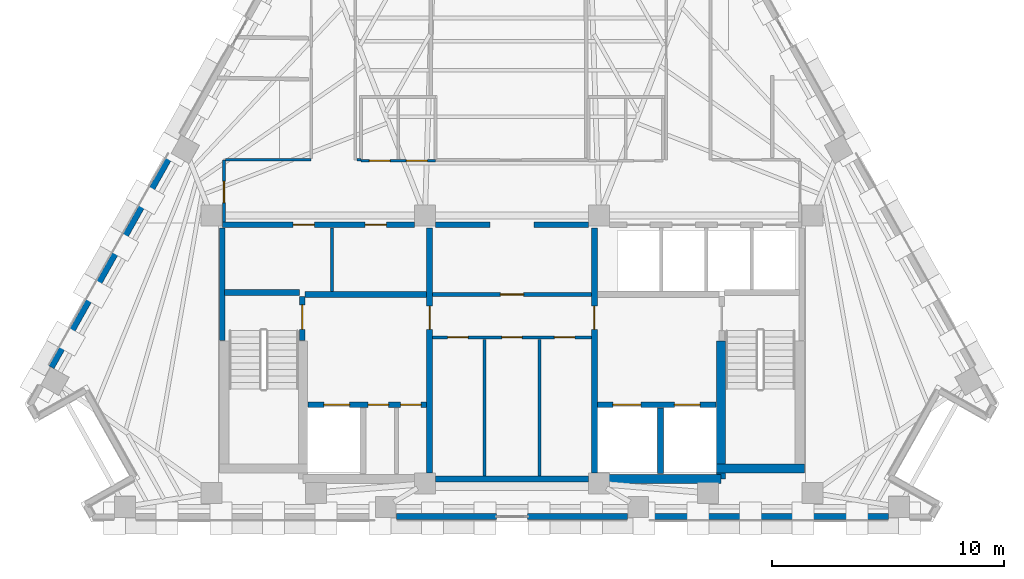
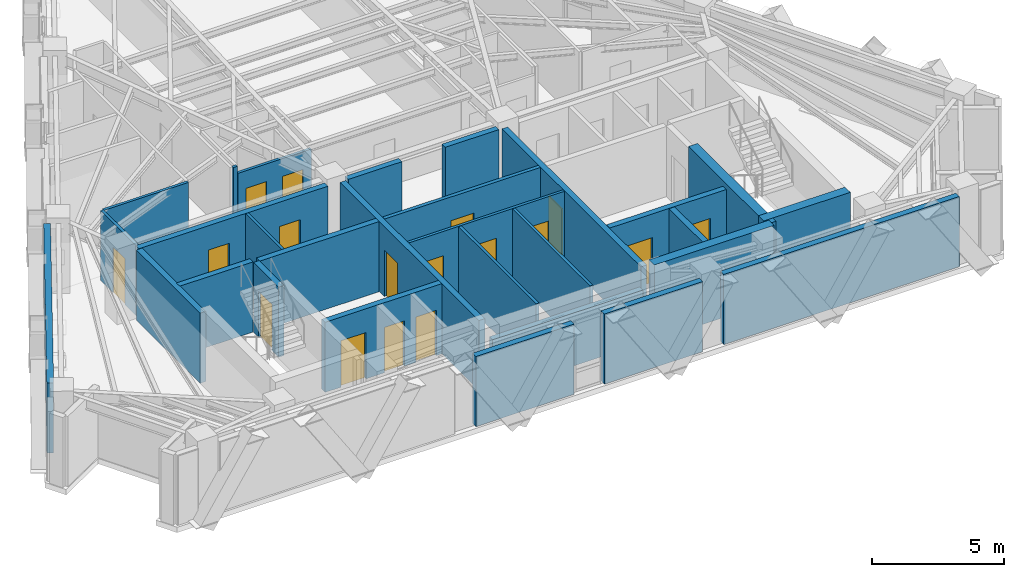
# One storey, part 7 of 12: 29 walls, 17 doors, 17 openings.
"""IFC4 building model written with IfcOpenShell, lengths in metres."""

import ifcopenshell
import ifcopenshell.guid

model = None  # the IFC model being written
_history = None  # IfcOwnerHistory: only IFC2X3 demands one
_inside = {}  # id of a spatial element -> (the spatial element, [elements in it])
_under = {}  # id of a project, library or spatial element -> (it, [spatial elements below it])
_declared = {}  # id of a project -> (the project, [libraries it declares])
_typed = {}  # id of a type object -> (the type object, [elements of that type])
_made_of = {}  # id of a material, layer set ... -> (it, [elements and type objects made of it])


def new_model(schema):
    """Start an empty IFC model of exactly this schema.

    Asked for "IFC4X3", IfcOpenShell would pick the latest addendum, in which some entities
    have other attributes; the version numbers below select the first issue.
    IFC2X3 requires an IfcOwnerHistory on every rooted entity: one is made here for all.
    """
    global model, _history
    if schema == "IFC4X3":
        model = ifcopenshell.file(schema_version=(4, 3, 0, 0))
    else:
        model = ifcopenshell.file(schema=schema)
    _inside.clear()
    _under.clear()
    _declared.clear()
    _typed.clear()
    _made_of.clear()
    _history = None
    if model.schema == "IFC2X3":
        org = make("IfcOrganization", Name="unknown")
        user = make(
            "IfcPersonAndOrganization",
            ThePerson=make("IfcPerson", FamilyName="unknown"),
            TheOrganization=org,
        )
        app = make(
            "IfcApplication",
            ApplicationDeveloper=org,
            Version="unknown",
            ApplicationFullName="unknown",
            ApplicationIdentifier="unknown",
        )
        _history = make(
            "IfcOwnerHistory",
            OwningUser=user,
            OwningApplication=app,
            ChangeAction="ADDED",
            CreationDate=0,
        )
    return model


def make(cls, **values):
    """One entity of the class cls with the attributes given. An attribute that is None is left unset."""
    return model.create_entity(
        cls, **{name: value for name, value in values.items() if value is not None}
    )


def rooted(cls, **values):
    """An entity with a GlobalId (a new one), such as an element, a storey or a relation."""
    return make(cls, GlobalId=ifcopenshell.guid.new(), OwnerHistory=_history, **values)


def si_unit(unit_type, name, prefix=None):
    """IfcSIUnit, for example si_unit("LENGTHUNIT", "METRE", prefix="MILLI")."""
    return make("IfcSIUnit", UnitType=unit_type, Prefix=prefix, Name=name)


def assignment(units):
    """IfcUnitAssignment: the units of a project."""
    return None if units is None else make("IfcUnitAssignment", Units=units)


def point(xyz):
    """IfcCartesianPoint."""
    return None if xyz is None else make("IfcCartesianPoint", Coordinates=xyz)


def direction(xyz):
    """IfcDirection."""
    return None if xyz is None else make("IfcDirection", DirectionRatios=xyz)


def frame(location, z_axis=None, x_axis=None):
    """IfcAxis2Placement3D, a coordinate frame: its origin and axes. An axis left out is left unset."""
    return make(
        "IfcAxis2Placement3D",
        Location=point(location),
        Axis=direction(z_axis),
        RefDirection=direction(x_axis),
    )


def frame_2d(location, x_axis=None):
    """IfcAxis2Placement2D, a coordinate frame in the plane: its origin and x axis."""
    return make(
        "IfcAxis2Placement2D", Location=point(location), RefDirection=direction(x_axis)
    )


def origin():
    """The frame at (0, 0, 0) with its axes left unset."""
    return frame((0.0, 0.0, 0.0))


def place(relative_to, where):
    """IfcLocalPlacement: puts the frame where relative to a parent placement (None: the world)."""
    return make(
        "IfcLocalPlacement", PlacementRelTo=relative_to, RelativePlacement=where
    )


def context(
    kind, dimensions, precision=None, world=None, true_north=None, identifier=None
):
    """IfcGeometricRepresentationContext, for example the 3D "Model" context."""
    return make(
        "IfcGeometricRepresentationContext",
        ContextIdentifier=identifier,
        ContextType=kind,
        CoordinateSpaceDimension=dimensions,
        Precision=precision,
        WorldCoordinateSystem=world,
        TrueNorth=true_north,
    )


def subcontext(parent, identifier, kind, view, scale=None):
    """IfcGeometricRepresentationSubContext, for example "Body" below "Model"."""
    return make(
        "IfcGeometricRepresentationSubContext",
        ContextIdentifier=identifier,
        ContextType=kind,
        ParentContext=parent,
        TargetScale=scale,
        TargetView=view,
    )


def project(units=None, contexts=None):
    """IfcProject with its units and contexts."""
    return rooted(
        "IfcProject",
        Name="project",
        RepresentationContexts=contexts,
        UnitsInContext=assignment(units),
    )


def spatial(cls, under=None, at=None, **own):
    """A site, building, storey or space (cls), placed at a placement, below another one or the project."""
    s = rooted(cls, ObjectPlacement=at, **own)
    if under is not None:
        _under.setdefault(under.id(), (under, []))[1].append(s)
    return s


def profile(cls, at=None, kind="AREA", **sizes):
    """A parametric profile (cls). Its sizes go by their IFC names, for example OverallWidth=200.0."""
    return make(cls, ProfileType=kind, Position=at, **sizes)


def rectangle(**sizes):
    """IfcRectangleProfileDef."""
    return profile("IfcRectangleProfileDef", **sizes)


def extrude(swept, where, along, depth):
    """IfcExtrudedAreaSolid: the profile swept, set in the frame where, extruded along a direction by depth."""
    return make(
        "IfcExtrudedAreaSolid",
        SweptArea=swept,
        Position=where,
        ExtrudedDirection=direction(along),
        Depth=depth,
    )


def shape(context_of_items, identifier, shape_type, items):
    """IfcShapeRepresentation: the items that make up one representation, for example the "Body"."""
    return make(
        "IfcShapeRepresentation",
        ContextOfItems=context_of_items,
        RepresentationIdentifier=identifier,
        RepresentationType=shape_type,
        Items=items,
    )


def material(Name=None, Category=None):
    """IfcMaterial."""
    return make("IfcMaterial", Name=Name, Category=Category)


def layer(
    of_material, thickness, ventilated=None, Name=None, Category=None, Priority=None
):
    """IfcMaterialLayer: one layer of a wall or slab, of a material (None: an air gap)."""
    return make(
        "IfcMaterialLayer",
        Material=of_material,
        LayerThickness=thickness,
        IsVentilated=ventilated,
        Name=Name,
        Category=Category,
        Priority=Priority,
    )


def layer_set(layers, Name=None):
    """IfcMaterialLayerSet."""
    return make("IfcMaterialLayerSet", MaterialLayers=layers, LayerSetName=Name)


def made_of(thing, what):
    """Note that an element or type object is made of a material, layer set ...; save() writes the relation."""
    if what is not None:
        _made_of.setdefault(what.id(), (what, []))[1].append(thing)
    return thing


def type_object(cls, material=None, **own):
    """A type object (cls), such as IfcWallType, which elements share."""
    return made_of(rooted(cls, **own), material)


def element(
    cls,
    number,
    at=None,
    inside=None,
    cuts=None,
    type_object=None,
    material=None,
    context=None,
    identifier="Body",
    shape_type=None,
    held_by="IfcProductDefinitionShape",
    body=None,
    shapes=None,
    **own,
):
    """One element of the class cls, such as IfcWall. Its Tag is "e" and its number.

    at: its placement. inside: the storey or other place that contains it. cuts: it is an
    opening in that element (IfcRelVoidsElement). A single representation is given by context,
    identifier, shape_type and body (its items); several are given by shapes. held_by: the class
    of the entity that holds the representations. save() writes the other relations.
    """
    e = rooted(cls, Tag="e%d" % number, ObjectPlacement=at, **own)
    if body is not None:
        shapes = [shape(context, identifier, shape_type, body)]
    if shapes is not None:
        e.Representation = make(held_by, Representations=shapes)
    if inside is not None:
        _inside.setdefault(inside.id(), (inside, []))[1].append(e)
    if cuts is not None:
        rooted(
            "IfcRelVoidsElement", RelatingBuildingElement=cuts, RelatedOpeningElement=e
        )
    if type_object is not None:
        _typed.setdefault(type_object.id(), (type_object, []))[1].append(e)
    return made_of(e, material)


def fill(opening, filler):
    """IfcRelFillsElement: the door or window that sits in an opening."""
    return rooted(
        "IfcRelFillsElement",
        RelatingOpeningElement=opening,
        RelatedBuildingElement=filler,
    )


def aggregate(whole, parts):
    """IfcRelAggregates: a whole, such as a stair, and the parts it consists of."""
    return rooted("IfcRelAggregates", RelatingObject=whole, RelatedObjects=parts)


def save(model, path):
    """Write the relations noted so far, then the file.

    IfcRelAggregates (storeys below a building ...), IfcRelContainedInSpatialStructure (elements
    in a storey), IfcRelDefinesByType, IfcRelAssociatesMaterial and IfcRelDeclares: one each for
    every whole, place, type object, material and project.
    """
    for whole, parts in _under.values():
        aggregate(whole, parts)
    for where, things in _inside.values():
        rooted(
            "IfcRelContainedInSpatialStructure",
            RelatedElements=things,
            RelatingStructure=where,
        )
    for kind, things in _typed.values():
        rooted("IfcRelDefinesByType", RelatedObjects=things, RelatingType=kind)
    for what, things in _made_of.values():
        rooted("IfcRelAssociatesMaterial", RelatedObjects=things, RelatingMaterial=what)
    for by, libraries in _declared.values():
        rooted("IfcRelDeclares", RelatingContext=by, RelatedDefinitions=libraries)
    model.write(path)


model = new_model("IFC4")

# Units and contexts
model_context = context("Model", 3, precision=1e-05, world=origin(), true_north=direction((0.0, 1.0)))
body_context = subcontext(model_context, "Body", "Model", "MODEL_VIEW")
ifc_project = project(units=[si_unit("LENGTHUNIT", "METRE"), si_unit("AREAUNIT", "SQUARE_METRE"), si_unit("VOLUMEUNIT", "CUBIC_METRE"), si_unit("PLANEANGLEUNIT", "RADIAN"), si_unit("MASSUNIT", "GRAM", prefix="KILO")], contexts=[model_context])

# Site, building, storey
site_placement = place(None, origin())
site = spatial("IfcSite", under=ifc_project, at=site_placement, CompositionType="ELEMENT")
building_placement = place(site_placement, origin())
building = spatial("IfcBuilding", under=site, at=building_placement, Name="Quenlor Broadcast Tower", CompositionType="ELEMENT")
storey_placement = place(building_placement, frame((0.0, 0.0, 200.89990234375)))
storey = spatial("IfcBuildingStorey", under=building, at=storey_placement, Name="L55", CompositionType="ELEMENT", Elevation=200.89990234375)

# Walls
ifc_material_1 = material(Name="Concrete C50/60", Category="concrete")
ifc_layer_1 = layer(ifc_material_1, 0.39990234375)
ifc_layer_set_1 = layer_set([ifc_layer_1], Name="Core Concrete C50/60 Shear Wall 400")
wall_type_1 = type_object("IfcWallType", Name="Core Concrete C50/60 Shear Wall 400", PredefinedType="SHEAR", material=ifc_layer_set_1)
wall_1_placement = place(storey_placement, frame((3.75, -16.14990234375, 0.0), z_axis=(0.0, 0.0, 1.0), x_axis=(1.0, 0.0, 0.0)))
element("IfcWall", 1, at=wall_1_placement, inside=storey, type_object=wall_type_1, Name="L55 Core Shear Wall WS-E1", PredefinedType="SHEAR", context=body_context, shape_type="SweptSolid", body=[
    extrude(rectangle(XDim=5.25, YDim=0.39990234375, at=frame_2d((2.625, 0.0))), origin(), (0.0, 0.0, 1.0), 3.5),
])
wall_2_placement = place(storey_placement, frame((8.800048828125, -15.699951171875, 0.0), z_axis=(0.0, 0.0, 1.0), x_axis=(1.0, 0.0, 0.0)))
element("IfcWall", 2, at=wall_2_placement, inside=storey, type_object=wall_type_1, Name="L55 Core Shear Wall WS-E2", PredefinedType="SHEAR", context=body_context, shape_type="SweptSolid", body=[
    extrude(rectangle(XDim=3.800048828125, YDim=0.39990234375, at=frame_2d((1.89990234375, 0.0))), origin(), (0.0, 0.0, 1.0), 3.5),
])
wall_3_placement = place(storey_placement, frame((9.0, -16.14990234375, 0.0), z_axis=(0.0, 0.0, 1.0), x_axis=(0.0, 1.0, 0.0)))
element("IfcWall", 3, at=wall_3_placement, inside=storey, type_object=wall_type_1, Name="L55 Core Shear Wall WI-E", PredefinedType="SHEAR", context=body_context, shape_type="SweptSolid", body=[
    extrude(rectangle(XDim=5.949951171875, YDim=0.39990234375, at=frame_2d((2.97509765625, 0.0))), origin(), (0.0, 0.0, 1.0), 3.5),
])

# Wall, opening, door
ifc_material_2 = material(Name="Concrete C40/50", Category="concrete")
ifc_layer_2 = layer(ifc_material_2, 0.25)
ifc_layer_set_2 = layer_set([ifc_layer_2], Name="Fire Rated Concrete C40/50 Core Wall 250")
wall_type_2 = type_object("IfcWallType", Name="Fire Rated Concrete C40/50 Core Wall 250", PredefinedType="PARTITIONING", material=ifc_layer_set_2)
wall_4_placement = place(storey_placement, frame((-9.0400390625, -10.179931640625, 0.0), z_axis=(0.0, 0.0, 1.0), x_axis=(0.0, 1.0, 0.0)))
wall_4 = element("IfcWall", 4, at=wall_4_placement, inside=storey, type_object=wall_type_2, Name="L55 Interior Wall CW-ST1-DR", PredefinedType="PARTITIONING", context=body_context, shape_type="SweptSolid", body=[
    extrude(rectangle(XDim=1.89990234375, YDim=0.25, at=frame_2d((0.949951171875, 0.0))), origin(), (0.0, 0.0, 1.0), 3.25),
])
opening_1_placement = place(wall_4_placement, frame((0.47998046875, 0.0, 0.0)))
opening_1 = element("IfcOpeningElement", 5, at=opening_1_placement, cuts=wall_4, Name="Opening FD-1", PredefinedType="OPENING", context=body_context, shape_type="SweptSolid", body=[
    extrude(rectangle(XDim=1.050048828125, YDim=2.14990234375, at=frame_2d((0.52490234375, 1.074951171875))), frame((0.0, 0.135009765625, 0.0), z_axis=(0.0, -1.0, 0.0), x_axis=(1.0, 0.0, 0.0)), (0.0, 0.0, 1.0), 0.27001953125),
])
ifc_material_3 = material(Name="Fire Rated Steel Door Leaf", Category="steel")
door_type_1 = type_object("IfcDoorType", Name="Fire Isolated Stair Door 1050x2150", OperationType="NOTDEFINED", PredefinedType="DOOR", material=ifc_material_3)
door_1_placement = place(opening_1_placement, origin())
door_1 = element("IfcDoor", 6, at=door_1_placement, inside=storey, type_object=door_type_1, Name="L55 Door DR-ST1", OperationType="SINGLE_SWING_LEFT", OverallHeight=2.14990234375, OverallWidth=1.050048828125, PredefinedType="DOOR", context=body_context, shape_type="SweptSolid", body=[
    extrude(rectangle(XDim=1.050048828125, YDim=2.14990234375, at=frame_2d((0.52490234375, 1.074951171875))), frame((0.0, 0.02490234375, 0.0), z_axis=(0.0, -1.0, 0.0), x_axis=(1.0, 0.0, 0.0)), (0.0, 0.0, 1.0), 0.050048828125),
])
fill(opening_1, door_1)

# Walls
wall_5_placement = place(storey_placement, frame((-12.3798828125, -8.1201171875, 0.0), z_axis=(0.0, 0.0, 1.0), x_axis=(1.0, 0.0, 0.0)))
element("IfcWall", 7, at=wall_5_placement, inside=storey, type_object=wall_type_2, Name="L55 Interior Wall CW-ST1-N", PredefinedType="PARTITIONING", context=body_context, shape_type="SweptSolid", body=[
    extrude(rectangle(XDim=3.219970703125, YDim=0.25, at=frame_2d((1.60986328125, 0.0))), origin(), (0.0, 0.0, 1.0), 3.25),
])
wall_6_placement = place(storey_placement, frame((-12.47998046875, -10.179931640625, 0.0), z_axis=(0.0, 0.0, 1.0), x_axis=(0.0, 1.0, 0.0)))
element("IfcWall", 8, at=wall_6_placement, inside=storey, type_object=wall_type_2, Name="L55 Interior Wall CW-ST1-W2", PredefinedType="PARTITIONING", context=body_context, shape_type="SweptSolid", body=[
    extrude(rectangle(XDim=4.83984375, YDim=0.25, at=frame_2d((2.419921875, 0.0))), origin(), (0.0, 0.0, 1.0), 3.25),
])

# Wall, openings, doors
wall_7_placement = place(storey_placement, frame((-8.798095703125, -12.949951171875, 0.0), z_axis=(0.0, 0.0, 1.0), x_axis=(1.0, 0.0, 0.0)))
wall_7 = element("IfcWall", 9, at=wall_7_placement, inside=storey, type_object=wall_type_2, Name="L55 Interior Wall CW-FFW-S", PredefinedType="PARTITIONING", context=body_context, shape_type="SweptSolid", body=[
    extrude(rectangle(XDim=5.1181640625, YDim=0.25, at=frame_2d((2.55908203125, 0.0))), origin(), (0.0, 0.0, 1.0), 3.25),
])
opening_2_placement = place(wall_7_placement, frame((0.697998046875, 0.0, 0.0)))
opening_2 = element("IfcOpeningElement", 10, at=opening_2_placement, cuts=wall_7, Name="Opening LD-FFL-1", PredefinedType="OPENING", context=body_context, shape_type="SweptSolid", body=[
    extrude(rectangle(XDim=1.10009765625, YDim=2.14990234375, at=frame_2d((0.550048828125, 1.074951171875))), frame((0.0, 0.135009765625, 0.0), z_axis=(0.0, -1.0, 0.0), x_axis=(1.0, 0.0, 0.0)), (0.0, 0.0, 1.0), 0.27001953125),
])
opening_3_placement = place(wall_7_placement, frame((2.597900390625, 0.0, 0.0)))
opening_3 = element("IfcOpeningElement", 11, at=opening_3_placement, cuts=wall_7, Name="Opening TD-1", PredefinedType="OPENING", context=body_context, shape_type="SweptSolid", body=[
    extrude(rectangle(XDim=0.8798828125, YDim=2.10009765625, at=frame_2d((0.43994140625, 1.050048828125))), frame((0.0, 0.135009765625, 0.0), z_axis=(0.0, -1.0, 0.0), x_axis=(1.0, 0.0, 0.0)), (0.0, 0.0, 1.0), 0.27001953125),
])
opening_4_placement = place(wall_7_placement, frame((3.998046875, 0.0, 0.0)))
opening_4 = element("IfcOpeningElement", 12, at=opening_4_placement, cuts=wall_7, Name="Opening TD-1", PredefinedType="OPENING", context=body_context, shape_type="SweptSolid", body=[
    extrude(rectangle(XDim=0.8798828125, YDim=2.10009765625, at=frame_2d((0.43994140625, 1.050048828125))), frame((0.0, 0.135009765625, 0.0), z_axis=(0.0, -1.0, 0.0), x_axis=(1.0, 0.0, 0.0)), (0.0, 0.0, 1.0), 0.27001953125),
])
ifc_material_4 = material(Name="Brushed Stainless Steel", Category="steel")
door_type_2 = type_object("IfcDoorType", Name="Emergency Lift Sliding Landing Door 1100x2150", OperationType="NOTDEFINED", PredefinedType="DOOR", material=ifc_material_4)
door_2_placement = place(opening_2_placement, origin())
door_2 = element("IfcDoor", 13, at=door_2_placement, inside=storey, type_object=door_type_2, Name="L55 Door LD-FFL-1", OperationType="SLIDING_TO_LEFT", OverallHeight=2.14990234375, OverallWidth=1.10009765625, PredefinedType="DOOR", context=body_context, shape_type="SweptSolid", body=[
    extrude(rectangle(XDim=1.10009765625, YDim=2.14990234375, at=frame_2d((0.550048828125, 1.074951171875))), frame((0.0, 0.02490234375, 0.0), z_axis=(0.0, -1.0, 0.0), x_axis=(1.0, 0.0, 0.0)), (0.0, 0.0, 1.0), 0.050048828125),
])
fill(opening_2, door_2)
ifc_material_5 = material(Name="Fire Rated Steel Access Panel", Category="steel")
door_type_3 = type_object("IfcDoorType", Name="Riser Shaft Rated Access Trapdoor 880x2100", OperationType="NOTDEFINED", PredefinedType="TRAPDOOR", material=ifc_material_5)
door_3_placement = place(opening_3_placement, origin())
door_3 = element("IfcDoor", 14, at=door_3_placement, inside=storey, type_object=door_type_3, Name="L55 Door DR-ELR", OperationType="SINGLE_SWING_LEFT", OverallHeight=2.10009765625, OverallWidth=0.8798828125, PredefinedType="TRAPDOOR", context=body_context, shape_type="SweptSolid", body=[
    extrude(rectangle(XDim=0.8798828125, YDim=2.10009765625, at=frame_2d((0.43994140625, 1.050048828125))), frame((0.0, 0.02490234375, 0.0), z_axis=(0.0, -1.0, 0.0), x_axis=(1.0, 0.0, 0.0)), (0.0, 0.0, 1.0), 0.050048828125),
])
fill(opening_3, door_3)
door_4_placement = place(opening_4_placement, origin())
door_4 = element("IfcDoor", 15, at=door_4_placement, inside=storey, type_object=door_type_3, Name="L55 Door DR-CMR", OperationType="SINGLE_SWING_RIGHT", OverallHeight=2.10009765625, OverallWidth=0.8798828125, PredefinedType="TRAPDOOR", context=body_context, shape_type="SweptSolid", body=[
    extrude(rectangle(XDim=0.8798828125, YDim=2.10009765625, at=frame_2d((0.43994140625, 1.050048828125))), frame((0.0, 0.02490234375, 0.0), z_axis=(0.0, -1.0, 0.0), x_axis=(1.0, 0.0, 0.0)), (0.0, 0.0, 1.0), 0.050048828125),
])
fill(opening_4, door_4)

wall_8_placement = place(storey_placement, frame((3.679931640625, -12.949951171875, 0.0), z_axis=(0.0, 0.0, 1.0), x_axis=(1.0, 0.0, 0.0)))
wall_8 = element("IfcWall", 16, at=wall_8_placement, inside=storey, type_object=wall_type_2, Name="L55 Interior Wall CW-FFE-S", PredefinedType="PARTITIONING", context=body_context, shape_type="SweptSolid", body=[
    extrude(rectangle(XDim=5.1181640625, YDim=0.25, at=frame_2d((2.55908203125, 0.0))), origin(), (0.0, 0.0, 1.0), 3.25),
])
opening_5_placement = place(wall_8_placement, frame((3.320068359375, 0.0, 0.0)))
opening_5 = element("IfcOpeningElement", 17, at=opening_5_placement, cuts=wall_8, Name="Opening LD-FFL-2", PredefinedType="OPENING", context=body_context, shape_type="SweptSolid", body=[
    extrude(rectangle(XDim=1.10009765625, YDim=2.14990234375, at=frame_2d((0.550048828125, 1.074951171875))), frame((0.0, 0.135009765625, 0.0), z_axis=(0.0, -1.0, 0.0), x_axis=(1.0, 0.0, 0.0)), (0.0, 0.0, 1.0), 0.27001953125),
])
opening_6_placement = place(wall_8_placement, frame((0.669921875, 0.0, 0.0)))
opening_6 = element("IfcOpeningElement", 18, at=opening_6_placement, cuts=wall_8, Name="Opening LD-SVL-1", PredefinedType="OPENING", context=body_context, shape_type="SweptSolid", body=[
    extrude(rectangle(XDim=1.199951171875, YDim=2.14990234375, at=frame_2d((0.60009765625, 1.074951171875))), frame((0.0, 0.135009765625, 0.0), z_axis=(0.0, -1.0, 0.0), x_axis=(1.0, 0.0, 0.0)), (0.0, 0.0, 1.0), 0.27001953125),
])
door_5_placement = place(opening_5_placement, origin())
door_5 = element("IfcDoor", 19, at=door_5_placement, inside=storey, type_object=door_type_2, Name="L55 Door LD-FFL-2", OperationType="SLIDING_TO_RIGHT", OverallHeight=2.14990234375, OverallWidth=1.10009765625, PredefinedType="DOOR", context=body_context, shape_type="SweptSolid", body=[
    extrude(rectangle(XDim=1.10009765625, YDim=2.14990234375, at=frame_2d((0.550048828125, 1.074951171875))), frame((0.0, 0.02490234375, 0.0), z_axis=(0.0, -1.0, 0.0), x_axis=(1.0, 0.0, 0.0)), (0.0, 0.0, 1.0), 0.050048828125),
])
fill(opening_5, door_5)
ifc_material_6 = material(Name="Brushed Stainless Steel", Category="steel")
door_type_4 = type_object("IfcDoorType", Name="Goods Lift Sliding Landing Door 1200x2150", OperationType="NOTDEFINED", PredefinedType="DOOR", material=ifc_material_6)
door_6_placement = place(opening_6_placement, origin())
door_6 = element("IfcDoor", 20, at=door_6_placement, inside=storey, type_object=door_type_4, Name="L55 Door LD-SVL-1", OperationType="SLIDING_TO_LEFT", OverallHeight=2.14990234375, OverallWidth=1.199951171875, PredefinedType="DOOR", context=body_context, shape_type="SweptSolid", body=[
    extrude(rectangle(XDim=1.199951171875, YDim=2.14990234375, at=frame_2d((0.60009765625, 1.074951171875))), frame((0.0, 0.02490234375, 0.0), z_axis=(0.0, -1.0, 0.0), x_axis=(1.0, 0.0, 0.0)), (0.0, 0.0, 1.0), 0.050048828125),
])
fill(opening_6, door_6)

# Walls
wall_9_placement = place(storey_placement, frame((6.39990234375, -15.919921875, 0.0), z_axis=(0.0, 0.0, 1.0), x_axis=(0.0, 1.0, 0.0)))
element("IfcWall", 21, at=wall_9_placement, inside=storey, type_object=wall_type_2, Name="L55 Interior Wall CW-SV1-E", PredefinedType="PARTITIONING", context=body_context, shape_type="SweptSolid", body=[
    extrude(rectangle(XDim=2.829833984375, YDim=0.25, at=frame_2d((1.4150390625, 0.0))), origin(), (0.0, 0.0, 1.0), 3.25),
])
wall_10_placement = place(storey_placement, frame((-8.919921875, -8.199951171875, 0.0), z_axis=(0.0, 0.0, 1.0), x_axis=(1.0, 0.0, 0.0)))
element("IfcWall", 22, at=wall_10_placement, inside=storey, type_object=wall_type_2, Name="L55 Interior Wall CW-FFW-N", PredefinedType="PARTITIONING", context=body_context, shape_type="SweptSolid", body=[
    extrude(rectangle(XDim=5.239990234375, YDim=0.25, at=frame_2d((2.6201171875, 0.0))), origin(), (0.0, 0.0, 1.0), 3.25),
])

# Wall, opening, door
wall_11_placement = place(storey_placement, frame((-3.550048828125, -15.89794921875, 0.0), z_axis=(0.0, 0.0, 1.0), x_axis=(0.0, 1.0, 0.0)))
wall_11 = element("IfcWall", 23, at=wall_11_placement, inside=storey, type_object=wall_type_2, Name="L55 Interior Wall CW-FFW-E", PredefinedType="PARTITIONING", context=body_context, shape_type="SweptSolid", body=[
    extrude(rectangle(XDim=10.557861328125, YDim=0.25, at=frame_2d((5.27880859375, 0.0))), origin(), (0.0, 0.0, 1.0), 3.25),
])
opening_7_placement = place(wall_11_placement, frame((6.197998046875, 0.0, 0.0)))
opening_7 = element("IfcOpeningElement", 24, at=opening_7_placement, cuts=wall_11, Name="Opening FD-2", PredefinedType="OPENING", context=body_context, shape_type="SweptSolid", body=[
    extrude(rectangle(XDim=1.0, YDim=2.14990234375, at=frame_2d((0.5, 1.074951171875))), frame((0.0, 0.135009765625, 0.0), z_axis=(0.0, -1.0, 0.0), x_axis=(1.0, 0.0, 0.0)), (0.0, 0.0, 1.0), 0.27001953125),
])
ifc_material_7 = material(Name="Fire Rated Glazed Steel Door", Category="steel")
door_type_5 = type_object("IfcDoorType", Name="Firefighting Lobby Smoke Door 1000x2150", OperationType="NOTDEFINED", PredefinedType="DOOR", material=ifc_material_7)
door_7_placement = place(opening_7_placement, origin())
door_7 = element("IfcDoor", 25, at=door_7_placement, inside=storey, type_object=door_type_5, Name="L55 Door DR-FFLW", OperationType="SINGLE_SWING_RIGHT", OverallHeight=2.14990234375, OverallWidth=1.0, PredefinedType="DOOR", context=body_context, shape_type="SweptSolid", body=[
    extrude(rectangle(XDim=1.0, YDim=2.14990234375, at=frame_2d((0.5, 1.074951171875))), frame((0.0, 0.02490234375, 0.0), z_axis=(0.0, -1.0, 0.0), x_axis=(1.0, 0.0, 0.0)), (0.0, 0.0, 1.0), 0.050048828125),
])
fill(opening_7, door_7)

wall_12_placement = place(storey_placement, frame((3.550048828125, -15.89794921875, 0.0), z_axis=(0.0, 0.0, 1.0), x_axis=(0.0, 1.0, 0.0)))
wall_12 = element("IfcWall", 26, at=wall_12_placement, inside=storey, type_object=wall_type_2, Name="L55 Interior Wall CW-FFE-W", PredefinedType="PARTITIONING", context=body_context, shape_type="SweptSolid", body=[
    extrude(rectangle(XDim=10.557861328125, YDim=0.25, at=frame_2d((5.27880859375, 0.0))), origin(), (0.0, 0.0, 1.0), 3.25),
])
opening_8_placement = place(wall_12_placement, frame((6.197998046875, 0.0, 0.0)))
opening_8 = element("IfcOpeningElement", 27, at=opening_8_placement, cuts=wall_12, Name="Opening FD-2", PredefinedType="OPENING", context=body_context, shape_type="SweptSolid", body=[
    extrude(rectangle(XDim=1.0, YDim=2.14990234375, at=frame_2d((0.5, 1.074951171875))), frame((0.0, 0.135009765625, 0.0), z_axis=(0.0, -1.0, 0.0), x_axis=(1.0, 0.0, 0.0)), (0.0, 0.0, 1.0), 0.27001953125),
])
door_8_placement = place(opening_8_placement, origin())
door_8 = element("IfcDoor", 28, at=door_8_placement, inside=storey, type_object=door_type_5, Name="L55 Door DR-FFLE", OperationType="SINGLE_SWING_LEFT", OverallHeight=2.14990234375, OverallWidth=1.0, PredefinedType="DOOR", context=body_context, shape_type="SweptSolid", body=[
    extrude(rectangle(XDim=1.0, YDim=2.14990234375, at=frame_2d((0.5, 1.074951171875))), frame((0.0, 0.02490234375, 0.0), z_axis=(0.0, -1.0, 0.0), x_axis=(1.0, 0.0, 0.0)), (0.0, 0.0, 1.0), 0.050048828125),
])
fill(opening_8, door_8)

# Wall, openings, doors
wall_13_placement = place(storey_placement, frame((-12.47998046875, -5.199951171875, 0.0), z_axis=(0.0, 0.0, 1.0), x_axis=(1.0, 0.0, 0.0)))
wall_13 = element("IfcWall", 29, at=wall_13_placement, inside=storey, type_object=wall_type_2, Name="L55 Interior Wall CW-N-W", PredefinedType="PARTITIONING", context=body_context, shape_type="SweptSolid", body=[
    extrude(rectangle(XDim=8.278076171875, YDim=0.25, at=frame_2d((4.13916015625, 0.0))), origin(), (0.0, 0.0, 1.0), 3.25),
])
opening_9_placement = place(wall_13_placement, frame((3.050048828125, 0.0, 0.0)))
opening_9 = element("IfcOpeningElement", 30, at=opening_9_placement, cuts=wall_13, Name="Opening ID-1", PredefinedType="OPENING", context=body_context, shape_type="SweptSolid", body=[
    extrude(rectangle(XDim=0.919921875, YDim=2.1201171875, at=frame_2d((0.4599609375, 1.06005859375))), frame((0.0, 0.135009765625, 0.0), z_axis=(0.0, -1.0, 0.0), x_axis=(1.0, 0.0, 0.0)), (0.0, 0.0, 1.0), 0.27001953125),
])
opening_10_placement = place(wall_13_placement, frame((6.14990234375, 0.0, 0.0)))
opening_10 = element("IfcOpeningElement", 31, at=opening_10_placement, cuts=wall_13, Name="Opening ID-1", PredefinedType="OPENING", context=body_context, shape_type="SweptSolid", body=[
    extrude(rectangle(XDim=0.919921875, YDim=2.1201171875, at=frame_2d((0.4599609375, 1.06005859375))), frame((0.0, 0.135009765625, 0.0), z_axis=(0.0, -1.0, 0.0), x_axis=(1.0, 0.0, 0.0)), (0.0, 0.0, 1.0), 0.27001953125),
])
ifc_material_8 = material(Name="Solid Core Timber Oak", Category="wood")
door_type_6 = type_object("IfcDoorType", Name="Single Leaf Timber Office Door 920x2120", OperationType="NOTDEFINED", PredefinedType="DOOR", material=ifc_material_8)
door_9_placement = place(opening_9_placement, origin())
door_9 = element("IfcDoor", 32, at=door_9_placement, inside=storey, type_object=door_type_6, Name="L55 Door DR-RCL1", OperationType="SINGLE_SWING_LEFT", OverallHeight=2.1201171875, OverallWidth=0.919921875, PredefinedType="DOOR", context=body_context, shape_type="SweptSolid", body=[
    extrude(rectangle(XDim=0.919921875, YDim=2.1201171875, at=frame_2d((0.4599609375, 1.06005859375))), frame((0.0, 0.02490234375, 0.0), z_axis=(0.0, -1.0, 0.0), x_axis=(1.0, 0.0, 0.0)), (0.0, 0.0, 1.0), 0.050048828125),
])
fill(opening_9, door_9)
door_10_placement = place(opening_10_placement, origin())
door_10 = element("IfcDoor", 33, at=door_10_placement, inside=storey, type_object=door_type_6, Name="L55 Door DR-RCL2", OperationType="SINGLE_SWING_RIGHT", OverallHeight=2.1201171875, OverallWidth=0.919921875, PredefinedType="DOOR", context=body_context, shape_type="SweptSolid", body=[
    extrude(rectangle(XDim=0.919921875, YDim=2.1201171875, at=frame_2d((0.4599609375, 1.06005859375))), frame((0.0, 0.02490234375, 0.0), z_axis=(0.0, -1.0, 0.0), x_axis=(1.0, 0.0, 0.0)), (0.0, 0.0, 1.0), 0.050048828125),
])
fill(opening_10, door_10)

# Walls
for number, where, z_axis, x_axis, name in (
    (34, (-3.298095703125, -5.199951171875, 0.0), (0.0, 0.0, 1.0), (1.0, 0.0, 0.0), "L55 Interior Wall CW-N-M1"),
    (35, (0.949951171875, -5.199951171875, 0.0), (0.0, 0.0, 1.0), (1.0, 0.0, 0.0), "L55 Interior Wall CW-N-M2"),
):
    element("IfcWall", number, at=place(storey_placement, frame(where, z_axis=z_axis, x_axis=x_axis)), inside=storey, type_object=wall_type_2, Name=name, PredefinedType="PARTITIONING", context=body_context, shape_type="SweptSolid", body=[
        extrude(rectangle(XDim=2.34814453125, YDim=0.25, at=frame_2d((1.174072265625, 0.0))), origin(), (0.0, 0.0, 1.0), 3.25),
    ])
wall_14_placement = place(storey_placement, frame((-3.298095703125, -16.14990234375, 0.0), z_axis=(0.0, 0.0, 1.0), x_axis=(1.0, 0.0, 0.0)))
element("IfcWall", 36, at=wall_14_placement, inside=storey, type_object=wall_type_2, Name="L55 Interior Wall CW-MS-S", PredefinedType="PARTITIONING", context=body_context, shape_type="SweptSolid", body=[
    extrude(rectangle(XDim=6.59619140625, YDim=0.25, at=frame_2d((3.298095703125, 0.0))), origin(), (0.0, 0.0, 1.0), 2.4501953125),
])

# Wall, opening, door
ifc_material_9 = material(Name="Gypsum Fireboard Partition", Category="other")
ifc_layer_3 = layer(ifc_material_9, 0.159912109375)
ifc_layer_set_3 = layer_set([ifc_layer_3], Name="Fire Rated Shaft and Corridor Partition 160")
wall_type_3 = type_object("IfcWallType", Name="Fire Rated Shaft and Corridor Partition 160", PredefinedType="PARTITIONING", material=ifc_layer_set_3)
wall_15_placement = place(storey_placement, frame((-3.419921875, -8.199951171875, 0.0), z_axis=(0.0, 0.0, 1.0), x_axis=(1.0, 0.0, 0.0)))
wall_15 = element("IfcWall", 37, at=wall_15_placement, inside=storey, type_object=wall_type_3, Name="L55 Interior Wall CW-M-BACK", PredefinedType="PARTITIONING", context=body_context, shape_type="SweptSolid", body=[
    extrude(rectangle(XDim=6.83984375, YDim=0.159912109375, at=frame_2d((3.419921875, 0.0))), origin(), (0.0, 0.0, 1.0), 3.25),
])
opening_11_placement = place(wall_15_placement, frame((2.919921875, 0.0, 0.0)))
opening_11 = element("IfcOpeningElement", 38, at=opening_11_placement, cuts=wall_15, Name="Opening FD-2", PredefinedType="OPENING", context=body_context, shape_type="SweptSolid", body=[
    extrude(rectangle(XDim=1.0, YDim=2.14990234375, at=frame_2d((0.5, 1.074951171875))), frame((0.0, 0.08984375, 0.0), z_axis=(0.0, -1.0, 0.0), x_axis=(1.0, 0.0, 0.0)), (0.0, 0.0, 1.0), 0.179931640625),
])
door_11_placement = place(opening_11_placement, origin())
door_11 = element("IfcDoor", 39, at=door_11_placement, inside=storey, type_object=door_type_5, Name="L55 Door DR-CCRP", OperationType="SINGLE_SWING_LEFT", OverallHeight=2.14990234375, OverallWidth=1.0, PredefinedType="DOOR", context=body_context, shape_type="SweptSolid", body=[
    extrude(rectangle(XDim=1.0, YDim=2.14990234375, at=frame_2d((0.5, 1.074951171875))), frame((0.0, 0.02490234375, 0.0), z_axis=(0.0, -1.0, 0.0), x_axis=(1.0, 0.0, 0.0)), (0.0, 0.0, 1.0), 0.050048828125),
])
fill(opening_11, door_11)

# Wall
ifc_material_10 = material(Name="Gypsum Plasterboard Partition", Category="other")
ifc_layer_4 = layer(ifc_material_10, 0.1201171875)
ifc_layer_set_4 = layer_set([ifc_layer_4], Name="Standard Office Partition 120")
wall_type_4 = type_object("IfcWallType", Name="Standard Office Partition 120", PredefinedType="PARTITIONING", material=ifc_layer_set_4)
wall_16_placement = place(storey_placement, frame((-7.75, -8.072998046875, 0.0), z_axis=(0.0, 0.0, 1.0), x_axis=(0.0, 1.0, 0.0)))
element("IfcWall", 40, at=wall_16_placement, inside=storey, type_object=wall_type_4, Name="L55 Interior Wall CW-RCL-MID", PredefinedType="PARTITIONING", context=body_context, shape_type="SweptSolid", body=[
    extrude(rectangle(XDim=2.73291015625, YDim=0.1201171875, at=frame_2d((1.366455078125, 0.0))), origin(), (0.0, 0.0, 1.0), 3.25),
])

# Wall, openings, doors
wall_17_placement = place(storey_placement, frame((-3.419921875, -10.050048828125, 0.0), z_axis=(0.0, 0.0, 1.0), x_axis=(1.0, 0.0, 0.0)))
wall_17 = element("IfcWall", 41, at=wall_17_placement, inside=storey, type_object=wall_type_4, Name="L55 Interior Wall CW-MS-N", PredefinedType="PARTITIONING", context=body_context, shape_type="SweptSolid", body=[
    extrude(rectangle(XDim=6.83984375, YDim=0.1201171875, at=frame_2d((3.419921875, 0.0))), origin(), (0.0, 0.0, 1.0), 3.25),
])
opening_12_placement = place(wall_17_placement, frame((0.64990234375, 0.0, 0.0)))
opening_12 = element("IfcOpeningElement", 42, at=opening_12_placement, cuts=wall_17, Name="Opening ID-4", PredefinedType="OPENING", context=body_context, shape_type="SweptSolid", body=[
    extrude(rectangle(XDim=0.8798828125, YDim=2.1201171875, at=frame_2d((0.43994140625, 1.06005859375))), frame((0.0, 0.070068359375, 0.0), z_axis=(0.0, -1.0, 0.0), x_axis=(1.0, 0.0, 0.0)), (0.0, 0.0, 1.0), 0.14013671875),
])
opening_13_placement = place(wall_17_placement, frame((2.97998046875, 0.0, 0.0)))
opening_13 = element("IfcOpeningElement", 43, at=opening_13_placement, cuts=wall_17, Name="Opening ID-4", PredefinedType="OPENING", context=body_context, shape_type="SweptSolid", body=[
    extrude(rectangle(XDim=0.8798828125, YDim=2.1201171875, at=frame_2d((0.43994140625, 1.06005859375))), frame((0.0, 0.070068359375, 0.0), z_axis=(0.0, -1.0, 0.0), x_axis=(1.0, 0.0, 0.0)), (0.0, 0.0, 1.0), 0.14013671875),
])
opening_14_placement = place(wall_17_placement, frame((5.25, 0.0, 0.0)))
opening_14 = element("IfcOpeningElement", 44, at=opening_14_placement, cuts=wall_17, Name="Opening ID-4", PredefinedType="OPENING", context=body_context, shape_type="SweptSolid", body=[
    extrude(rectangle(XDim=0.8798828125, YDim=2.1201171875, at=frame_2d((0.43994140625, 1.06005859375))), frame((0.0, 0.070068359375, 0.0), z_axis=(0.0, -1.0, 0.0), x_axis=(1.0, 0.0, 0.0)), (0.0, 0.0, 1.0), 0.14013671875),
])
ifc_material_11 = material(Name="Solid Core Timber Oak", Category="wood")
door_type_7 = type_object("IfcDoorType", Name="Service Closet Timber Door 880x2120", OperationType="NOTDEFINED", PredefinedType="DOOR", material=ifc_material_11)
door_12_placement = place(opening_12_placement, origin())
door_12 = element("IfcDoor", 45, at=door_12_placement, inside=storey, type_object=door_type_7, Name="L55 Door DR-RCMA", OperationType="SINGLE_SWING_LEFT", OverallHeight=2.1201171875, OverallWidth=0.8798828125, PredefinedType="DOOR", context=body_context, shape_type="SweptSolid", body=[
    extrude(rectangle(XDim=0.8798828125, YDim=2.1201171875, at=frame_2d((0.43994140625, 1.06005859375))), frame((0.0, 0.02490234375, 0.0), z_axis=(0.0, -1.0, 0.0), x_axis=(1.0, 0.0, 0.0)), (0.0, 0.0, 1.0), 0.050048828125),
])
fill(opening_12, door_12)
door_13_placement = place(opening_13_placement, origin())
door_13 = element("IfcDoor", 46, at=door_13_placement, inside=storey, type_object=door_type_7, Name="L55 Door DR-RCMV", OperationType="SINGLE_SWING_LEFT", OverallHeight=2.1201171875, OverallWidth=0.8798828125, PredefinedType="DOOR", context=body_context, shape_type="SweptSolid", body=[
    extrude(rectangle(XDim=0.8798828125, YDim=2.1201171875, at=frame_2d((0.43994140625, 1.06005859375))), frame((0.0, 0.02490234375, 0.0), z_axis=(0.0, -1.0, 0.0), x_axis=(1.0, 0.0, 0.0)), (0.0, 0.0, 1.0), 0.050048828125),
])
fill(opening_13, door_13)
door_14_placement = place(opening_14_placement, origin())
door_14 = element("IfcDoor", 47, at=door_14_placement, inside=storey, type_object=door_type_7, Name="L55 Door DR-RCMB", OperationType="SINGLE_SWING_RIGHT", OverallHeight=2.1201171875, OverallWidth=0.8798828125, PredefinedType="DOOR", context=body_context, shape_type="SweptSolid", body=[
    extrude(rectangle(XDim=0.8798828125, YDim=2.1201171875, at=frame_2d((0.43994140625, 1.06005859375))), frame((0.0, 0.02490234375, 0.0), z_axis=(0.0, -1.0, 0.0), x_axis=(1.0, 0.0, 0.0)), (0.0, 0.0, 1.0), 0.050048828125),
])
fill(opening_14, door_14)

# Walls
for number, where, z_axis, x_axis, name in (
    (48, (-1.179931640625, -16.02001953125, 0.0), (0.0, 0.0, 1.0), (0.0, 1.0, 0.0), "L55 Interior Wall CW-RCM-W3"),
    (49, (1.179931640625, -16.02001953125, 0.0), (0.0, 0.0, 1.0), (0.0, 1.0, 0.0), "L55 Interior Wall CW-RCM-E3"),
):
    element("IfcWall", number, at=place(storey_placement, frame(where, z_axis=z_axis, x_axis=x_axis)), inside=storey, type_object=wall_type_4, Name=name, PredefinedType="PARTITIONING", context=body_context, shape_type="SweptSolid", body=[
        extrude(rectangle(XDim=5.89013671875, YDim=0.1201171875, at=frame_2d((2.945068359375, 0.0))), origin(), (0.0, 0.0, 1.0), 3.25),
    ])

# Wall, openings, doors
wall_18_placement = place(storey_placement, frame((-6.510009765625, -2.43994140625, 0.0), z_axis=(0.0, 0.0, 1.0), x_axis=(1.0, 0.0, 0.0)))
wall_18 = element("IfcWall", 50, at=wall_18_placement, inside=storey, type_object=wall_type_4, Name="L55 Interior Wall PW-WCW-S", PredefinedType="PARTITIONING", context=body_context, shape_type="SweptSolid", body=[
    extrude(rectangle(XDim=3.219970703125, YDim=0.1201171875, at=frame_2d((1.60986328125, 0.0))), origin(), (0.0, 0.0, 1.0), 2.94287109375),
])
opening_15_placement = place(wall_18_placement, frame((0.360107421875, 0.0, 0.0)))
opening_15 = element("IfcOpeningElement", 51, at=opening_15_placement, cuts=wall_18, Name="Opening ID-3", PredefinedType="OPENING", context=body_context, shape_type="SweptSolid", body=[
    extrude(rectangle(XDim=0.89990234375, YDim=2.1201171875, at=frame_2d((0.449951171875, 1.06005859375))), frame((0.0, 0.070068359375, 0.0), z_axis=(0.0, -1.0, 0.0), x_axis=(1.0, 0.0, 0.0)), (0.0, 0.0, 1.0), 0.14013671875),
])
opening_16_placement = place(wall_18_placement, frame((1.9599609375, 0.0, 0.0)))
opening_16 = element("IfcOpeningElement", 52, at=opening_16_placement, cuts=wall_18, Name="Opening ID-3", PredefinedType="OPENING", context=body_context, shape_type="SweptSolid", body=[
    extrude(rectangle(XDim=0.89990234375, YDim=2.1201171875, at=frame_2d((0.449951171875, 1.06005859375))), frame((0.0, 0.070068359375, 0.0), z_axis=(0.0, -1.0, 0.0), x_axis=(1.0, 0.0, 0.0)), (0.0, 0.0, 1.0), 0.14013671875),
])
ifc_material_12 = material(Name="Moisture Resistant Timber Oak", Category="wood")
door_type_8 = type_object("IfcDoorType", Name="Washroom Privacy Door 900x2120", OperationType="NOTDEFINED", PredefinedType="DOOR", material=ifc_material_12)
door_15_placement = place(opening_15_placement, origin())
door_15 = element("IfcDoor", 53, at=door_15_placement, inside=storey, type_object=door_type_8, Name="L55 Door DR-AWC", OperationType="SINGLE_SWING_LEFT", OverallHeight=2.1201171875, OverallWidth=0.89990234375, PredefinedType="DOOR", context=body_context, shape_type="SweptSolid", body=[
    extrude(rectangle(XDim=0.89990234375, YDim=2.1201171875, at=frame_2d((0.449951171875, 1.06005859375))), frame((0.0, 0.02490234375, 0.0), z_axis=(0.0, -1.0, 0.0), x_axis=(1.0, 0.0, 0.0)), (0.0, 0.0, 1.0), 0.050048828125),
])
fill(opening_15, door_15)
door_16_placement = place(opening_16_placement, origin())
door_16 = element("IfcDoor", 54, at=door_16_placement, inside=storey, type_object=door_type_8, Name="L55 Door DR-SHW", OperationType="SINGLE_SWING_RIGHT", OverallHeight=2.1201171875, OverallWidth=0.89990234375, PredefinedType="DOOR", context=body_context, shape_type="SweptSolid", body=[
    extrude(rectangle(XDim=0.89990234375, YDim=2.1201171875, at=frame_2d((0.449951171875, 1.06005859375))), frame((0.0, 0.02490234375, 0.0), z_axis=(0.0, -1.0, 0.0), x_axis=(1.0, 0.0, 0.0)), (0.0, 0.0, 1.0), 0.050048828125),
])
fill(opening_16, door_16)

# Wall, opening, door
wall_19_placement = place(storey_placement, frame((-12.409912109375, -5.072998046875, 0.0), z_axis=(0.0, 0.0, 1.0), x_axis=(0.0, 1.0, 0.0)))
wall_19 = element("IfcWall", 55, at=wall_19_placement, inside=storey, type_object=wall_type_4, Name="L55 Interior Wall PW-CR-01", PredefinedType="PARTITIONING", context=body_context, shape_type="SweptSolid", body=[
    extrude(rectangle(XDim=2.673095703125, YDim=0.1201171875, at=frame_2d((1.33642578125, 0.0))), origin(), (0.0, 0.0, 1.0), 3.25),
])
opening_17_placement = place(wall_19_placement, frame((0.827880859375, 0.0, 0.0)))
opening_17 = element("IfcOpeningElement", 56, at=opening_17_placement, cuts=wall_19, Name="Opening ID-1", PredefinedType="OPENING", context=body_context, shape_type="SweptSolid", body=[
    extrude(rectangle(XDim=0.919921875, YDim=2.1201171875, at=frame_2d((0.4599609375, 1.06005859375))), frame((0.0, 0.070068359375, 0.0), z_axis=(0.0, -1.0, 0.0), x_axis=(1.0, 0.0, 0.0)), (0.0, 0.0, 1.0), 0.14013671875),
])
door_17_placement = place(opening_17_placement, origin())
door_17 = element("IfcDoor", 57, at=door_17_placement, inside=storey, type_object=door_type_6, Name="L55 Door DR-RM07", OperationType="SINGLE_SWING_RIGHT", OverallHeight=2.1201171875, OverallWidth=0.919921875, PredefinedType="DOOR", context=body_context, shape_type="SweptSolid", body=[
    extrude(rectangle(XDim=0.919921875, YDim=2.1201171875, at=frame_2d((0.4599609375, 1.06005859375))), frame((0.0, 0.02490234375, 0.0), z_axis=(0.0, -1.0, 0.0), x_axis=(1.0, 0.0, 0.0)), (0.0, 0.0, 1.0), 0.050048828125),
])
fill(opening_17, door_17)

# Walls
wall_20_placement = place(storey_placement, frame((-12.347900390625, -2.39990234375, 0.0), z_axis=(0.0, 0.0, 1.0), x_axis=(1.0, 0.0, 0.0)))
element("IfcWall", 58, at=wall_20_placement, inside=storey, type_object=wall_type_4, Name="L55 Interior Wall PW-CR-02", PredefinedType="PARTITIONING", context=body_context, shape_type="SweptSolid", body=[
    extrude(rectangle(XDim=3.697998046875, YDim=0.1201171875, at=frame_2d((1.84912109375, 0.0))), origin(), (0.0, 0.0, 1.0), 3.25),
])
wall_21_placement = place(storey_placement, frame((-6.68798828125, -2.39990234375, 0.0), z_axis=(0.0, 0.0, 1.0), x_axis=(1.0, 0.0, 0.0)))
element("IfcWall", 59, at=wall_21_placement, inside=storey, type_object=wall_type_4, Name="L55 Interior Wall PW-CR-07", PredefinedType="PARTITIONING", context=body_context, shape_type="SweptSolid", body=[
    extrude(rectangle(XDim=0.176025390625, YDim=0.1201171875, at=frame_2d((0.087890625, 0.0))), origin(), (0.0, 0.0, 1.0), 3.25),
])
ifc_material_13 = material(Name="Precast concrete C40/50", Category="concrete")
ifc_layer_5 = layer(ifc_material_13, 0.260009765625)
ifc_layer_set_5 = layer_set([ifc_layer_5], Name="Terracotta Precast Concrete C40/50 Upper Wall 260")
wall_type_5 = type_object("IfcWallType", Name="Terracotta Precast Concrete C40/50 Upper Wall 260", PredefinedType="STANDARD", material=ifc_layer_set_5)
wall_22_placement = place(storey_placement, frame((16.220947265625, -17.77490234375, 0.0), z_axis=(0.0, 0.0, 1.0), x_axis=(-1.0, 0.0, 0.0)))
element("IfcWall", 60, at=wall_22_placement, inside=storey, type_object=wall_type_5, Name="L55 Exterior Wall L55-EW-SA", PredefinedType="STANDARD", context=body_context, shape_type="SweptSolid", body=[
    extrude(rectangle(XDim=10.328125, YDim=0.260009765625, at=frame_2d((5.1640625, 0.0))), origin(), (0.0, 0.0, 1.0), 3.25),
])
for number, where, z_axis, x_axis, name in (
    (61, (4.9677734375, -17.77490234375, 0.0), (0.0, 0.0, 1.0), (-1.0, 0.0, 0.0), "L55 Exterior Wall L55-S-SP1"),
    (62, (-0.662353515625, -17.77490234375, 0.0), (0.0, 0.0, 1.0), (-1.0, 0.0, 0.0), "L55 Exterior Wall L55-S-SP2"),
):
    element("IfcWall", number, at=place(storey_placement, frame(where, z_axis=z_axis, x_axis=x_axis)), inside=storey, type_object=wall_type_5, Name=name, PredefinedType="STANDARD", context=body_context, shape_type="SweptSolid", body=[
        extrude(rectangle(XDim=4.305419921875, YDim=0.260009765625, at=frame_2d((2.15283203125, 0.0))), origin(), (0.0, 0.0, 1.0), 3.25),
    ])
wall_23_placement = place(storey_placement, frame((-19.84375, -11.3369140625, 0.0), z_axis=(0.0, 0.0, 1.0), x_axis=(0.490246958575, 0.871583570066, 0.0)))
element("IfcWall", 63, at=wall_23_placement, inside=storey, type_object=wall_type_5, Name="L55 Exterior Wall L55-EW-NWA", PredefinedType="STANDARD", context=body_context, shape_type="SweptSolid", body=[
    extrude(rectangle(XDim=10.551513671875, YDim=0.260009765625, at=frame_2d((5.27587890625, 0.0))), origin(), (0.0, 0.0, 1.0), 3.25),
])

save(model, "model.ifc")
